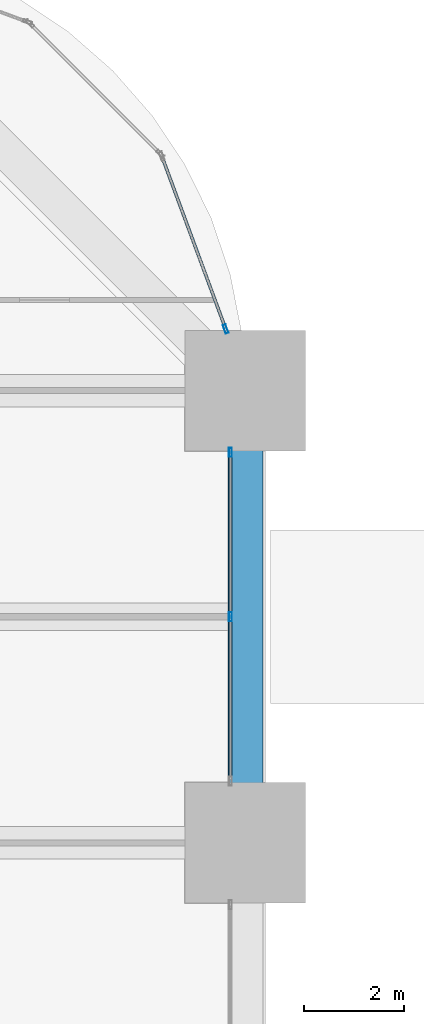
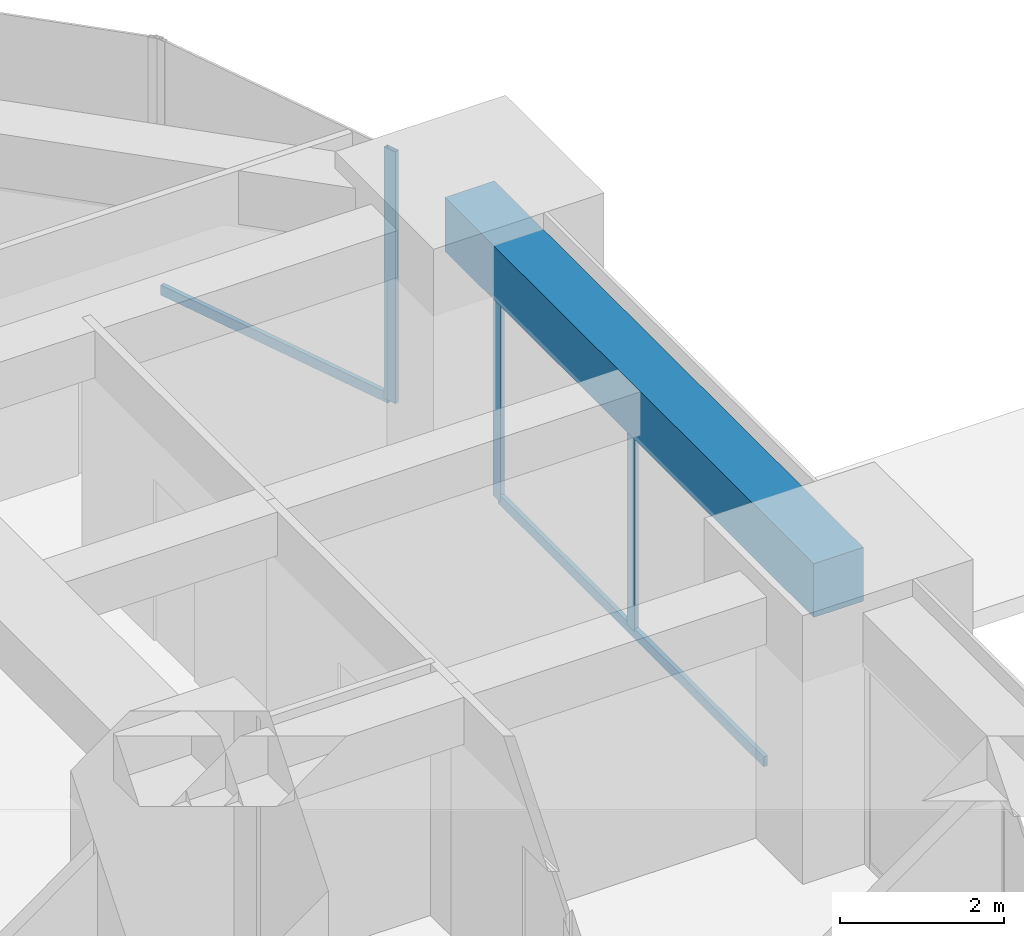
# One storey, part 30 of 39: 5 members, 1 beam, 2 elements without a shape of their own.
"""IFC4 building model written with IfcOpenShell, lengths in metres."""

import ifcopenshell
import ifcopenshell.guid

model = None  # the IFC model being written
_history = None  # IfcOwnerHistory: only IFC2X3 demands one
_inside = {}  # id of a spatial element -> (the spatial element, [elements in it])
_under = {}  # id of a project, library or spatial element -> (it, [spatial elements below it])
_declared = {}  # id of a project -> (the project, [libraries it declares])
_typed = {}  # id of a type object -> (the type object, [elements of that type])
_made_of = {}  # id of a material, layer set ... -> (it, [elements and type objects made of it])


def new_model(schema):
    """Start an empty IFC model of exactly this schema.

    Asked for "IFC4X3", IfcOpenShell would pick the latest addendum, in which some entities
    have other attributes; the version numbers below select the first issue.
    IFC2X3 requires an IfcOwnerHistory on every rooted entity: one is made here for all.
    """
    global model, _history
    if schema == "IFC4X3":
        model = ifcopenshell.file(schema_version=(4, 3, 0, 0))
    else:
        model = ifcopenshell.file(schema=schema)
    _inside.clear()
    _under.clear()
    _declared.clear()
    _typed.clear()
    _made_of.clear()
    _history = None
    if model.schema == "IFC2X3":
        org = make("IfcOrganization", Name="unknown")
        user = make(
            "IfcPersonAndOrganization",
            ThePerson=make("IfcPerson", FamilyName="unknown"),
            TheOrganization=org,
        )
        app = make(
            "IfcApplication",
            ApplicationDeveloper=org,
            Version="unknown",
            ApplicationFullName="unknown",
            ApplicationIdentifier="unknown",
        )
        _history = make(
            "IfcOwnerHistory",
            OwningUser=user,
            OwningApplication=app,
            ChangeAction="ADDED",
            CreationDate=0,
        )
    return model


def make(cls, **values):
    """One entity of the class cls with the attributes given. An attribute that is None is left unset."""
    return model.create_entity(
        cls, **{name: value for name, value in values.items() if value is not None}
    )


def rooted(cls, **values):
    """An entity with a GlobalId (a new one), such as an element, a storey or a relation."""
    return make(cls, GlobalId=ifcopenshell.guid.new(), OwnerHistory=_history, **values)


def si_unit(unit_type, name, prefix=None):
    """IfcSIUnit, for example si_unit("LENGTHUNIT", "METRE", prefix="MILLI")."""
    return make("IfcSIUnit", UnitType=unit_type, Prefix=prefix, Name=name)


def assignment(units):
    """IfcUnitAssignment: the units of a project."""
    return None if units is None else make("IfcUnitAssignment", Units=units)


def point(xyz):
    """IfcCartesianPoint."""
    return None if xyz is None else make("IfcCartesianPoint", Coordinates=xyz)


def direction(xyz):
    """IfcDirection."""
    return None if xyz is None else make("IfcDirection", DirectionRatios=xyz)


def frame(location, z_axis=None, x_axis=None):
    """IfcAxis2Placement3D, a coordinate frame: its origin and axes. An axis left out is left unset."""
    return make(
        "IfcAxis2Placement3D",
        Location=point(location),
        Axis=direction(z_axis),
        RefDirection=direction(x_axis),
    )


def frame_2d(location, x_axis=None):
    """IfcAxis2Placement2D, a coordinate frame in the plane: its origin and x axis."""
    return make(
        "IfcAxis2Placement2D", Location=point(location), RefDirection=direction(x_axis)
    )


def origin():
    """The frame at (0, 0, 0) with its axes left unset."""
    return frame((0.0, 0.0, 0.0))


def origin_2d():
    """The frame at (0, 0) in the plane with its x axis left unset."""
    return frame_2d((0.0, 0.0))


def place(relative_to, where):
    """IfcLocalPlacement: puts the frame where relative to a parent placement (None: the world)."""
    return make(
        "IfcLocalPlacement", PlacementRelTo=relative_to, RelativePlacement=where
    )


def context(
    kind, dimensions, precision=None, world=None, true_north=None, identifier=None
):
    """IfcGeometricRepresentationContext, for example the 3D "Model" context."""
    return make(
        "IfcGeometricRepresentationContext",
        ContextIdentifier=identifier,
        ContextType=kind,
        CoordinateSpaceDimension=dimensions,
        Precision=precision,
        WorldCoordinateSystem=world,
        TrueNorth=true_north,
    )


def subcontext(parent, identifier, kind, view, scale=None):
    """IfcGeometricRepresentationSubContext, for example "Body" below "Model"."""
    return make(
        "IfcGeometricRepresentationSubContext",
        ContextIdentifier=identifier,
        ContextType=kind,
        ParentContext=parent,
        TargetScale=scale,
        TargetView=view,
    )


def project(units=None, contexts=None):
    """IfcProject with its units and contexts."""
    return rooted(
        "IfcProject",
        Name="project",
        RepresentationContexts=contexts,
        UnitsInContext=assignment(units),
    )


def spatial(cls, under=None, at=None, **own):
    """A site, building, storey or space (cls), placed at a placement, below another one or the project."""
    s = rooted(cls, ObjectPlacement=at, **own)
    if under is not None:
        _under.setdefault(under.id(), (under, []))[1].append(s)
    return s


def profile(cls, at=None, kind="AREA", **sizes):
    """A parametric profile (cls). Its sizes go by their IFC names, for example OverallWidth=200.0."""
    return make(cls, ProfileType=kind, Position=at, **sizes)


def rectangle(**sizes):
    """IfcRectangleProfileDef."""
    return profile("IfcRectangleProfileDef", **sizes)


def hollow_rectangle(**sizes):
    """IfcRectangleHollowProfileDef."""
    return profile("IfcRectangleHollowProfileDef", **sizes)


def extrude(swept, where, along, depth):
    """IfcExtrudedAreaSolid: the profile swept, set in the frame where, extruded along a direction by depth."""
    return make(
        "IfcExtrudedAreaSolid",
        SweptArea=swept,
        Position=where,
        ExtrudedDirection=direction(along),
        Depth=depth,
    )


def shape(context_of_items, identifier, shape_type, items):
    """IfcShapeRepresentation: the items that make up one representation, for example the "Body"."""
    return make(
        "IfcShapeRepresentation",
        ContextOfItems=context_of_items,
        RepresentationIdentifier=identifier,
        RepresentationType=shape_type,
        Items=items,
    )


def material(Name=None, Category=None):
    """IfcMaterial."""
    return make("IfcMaterial", Name=Name, Category=Category)


def material_profile(
    of_material, cross_section, Name=None, Category=None, Priority=None
):
    """IfcMaterialProfile: a cross section and its material."""
    return make(
        "IfcMaterialProfile",
        Name=Name,
        Material=of_material,
        Profile=cross_section,
        Priority=Priority,
        Category=Category,
    )


def profile_set(profiles, Name=None, composite=None):
    """IfcMaterialProfileSet."""
    return make(
        "IfcMaterialProfileSet",
        Name=Name,
        MaterialProfiles=profiles,
        CompositeProfile=composite,
    )


def made_of(thing, what):
    """Note that an element or type object is made of a material, layer set ...; save() writes the relation."""
    if what is not None:
        _made_of.setdefault(what.id(), (what, []))[1].append(thing)
    return thing


def type_object(cls, material=None, **own):
    """A type object (cls), such as IfcWallType, which elements share."""
    return made_of(rooted(cls, **own), material)


def element(
    cls,
    number,
    at=None,
    inside=None,
    cuts=None,
    type_object=None,
    material=None,
    context=None,
    identifier="Body",
    shape_type=None,
    held_by="IfcProductDefinitionShape",
    body=None,
    shapes=None,
    **own,
):
    """One element of the class cls, such as IfcWall. Its Tag is "e" and its number.

    at: its placement. inside: the storey or other place that contains it. cuts: it is an
    opening in that element (IfcRelVoidsElement). A single representation is given by context,
    identifier, shape_type and body (its items); several are given by shapes. held_by: the class
    of the entity that holds the representations. save() writes the other relations.
    """
    e = rooted(cls, Tag="e%d" % number, ObjectPlacement=at, **own)
    if body is not None:
        shapes = [shape(context, identifier, shape_type, body)]
    if shapes is not None:
        e.Representation = make(held_by, Representations=shapes)
    if inside is not None:
        _inside.setdefault(inside.id(), (inside, []))[1].append(e)
    if cuts is not None:
        rooted(
            "IfcRelVoidsElement", RelatingBuildingElement=cuts, RelatedOpeningElement=e
        )
    if type_object is not None:
        _typed.setdefault(type_object.id(), (type_object, []))[1].append(e)
    return made_of(e, material)


def aggregate(whole, parts):
    """IfcRelAggregates: a whole, such as a stair, and the parts it consists of."""
    return rooted("IfcRelAggregates", RelatingObject=whole, RelatedObjects=parts)


def save(model, path):
    """Write the relations noted so far, then the file.

    IfcRelAggregates (storeys below a building ...), IfcRelContainedInSpatialStructure (elements
    in a storey), IfcRelDefinesByType, IfcRelAssociatesMaterial and IfcRelDeclares: one each for
    every whole, place, type object, material and project.
    """
    for whole, parts in _under.values():
        aggregate(whole, parts)
    for where, things in _inside.values():
        rooted(
            "IfcRelContainedInSpatialStructure",
            RelatedElements=things,
            RelatingStructure=where,
        )
    for kind, things in _typed.values():
        rooted("IfcRelDefinesByType", RelatedObjects=things, RelatingType=kind)
    for what, things in _made_of.values():
        rooted("IfcRelAssociatesMaterial", RelatedObjects=things, RelatingMaterial=what)
    for by, libraries in _declared.values():
        rooted("IfcRelDeclares", RelatingContext=by, RelatedDefinitions=libraries)
    model.write(path)


model = new_model("IFC4")

# Units and contexts
model_context = context("Model", 3, precision=1e-05, world=origin(), true_north=direction((0.0, 1.0)))
body_context = subcontext(model_context, "Body", "Model", "MODEL_VIEW")
ifc_project = project(units=[si_unit("LENGTHUNIT", "METRE"), si_unit("AREAUNIT", "SQUARE_METRE"), si_unit("VOLUMEUNIT", "CUBIC_METRE"), si_unit("PLANEANGLEUNIT", "RADIAN"), si_unit("MASSUNIT", "GRAM", prefix="KILO")], contexts=[model_context])

# Site, building, storey
site_placement = place(None, origin())
site = spatial("IfcSite", under=ifc_project, at=site_placement, CompositionType="ELEMENT")
building_placement = place(site_placement, origin())
building = spatial("IfcBuilding", under=site, at=building_placement, Name="Zorevar Civic Tower", CompositionType="ELEMENT")
storey_placement = place(building_placement, frame((0.0, 0.0, 19.800048828125)))
storey = spatial("IfcBuildingStorey", under=building, at=storey_placement, Name="L04", CompositionType="ELEMENT", Elevation=19.800048828125)

# Curtain wall, members
ifc_material_1 = material(Name="Dark grey solar-control glass in black aluminium frame", Category="aluminium")
curtain_wall_type = type_object("IfcCurtainWallType", Name="Curtain wall CW2 low zone", PredefinedType="NOTDEFINED", material=ifc_material_1)
curtain_wall_1_placement = place(storey_placement, origin())
curtain_wall_1 = element("IfcCurtainWall", 1, at=curtain_wall_1_placement, inside=storey, type_object=curtain_wall_type, Name="CW2 L04", PredefinedType="NOTDEFINED")
ifc_material_2 = material(Name="Aluminium, black anodised", Category="aluminium")
ifc_material_profile_1 = material_profile(ifc_material_2, hollow_rectangle(XDim=0.06005859375, YDim=0.179931640625, WallThickness=0.00390625, at=origin_2d()), Name="AL 180x60x4")
ifc_profile_set_1 = profile_set([ifc_material_profile_1], Name="Aluminium, black anodised")
member_type_1 = type_object("IfcMemberType", Name="CW2 mullion AL 180x60x4", PredefinedType="MULLION", material=ifc_profile_set_1)
member_1_placement = place(storey_placement, frame((62.699951171875, 40.5, 0.06005859375), z_axis=(0.0, 0.0, 1.0), x_axis=(-1.0, 0.0, 0.0)))
member_1 = element("IfcMember", 2, at=member_1_placement, type_object=member_type_1, Name="CW2 mullion 2", PredefinedType="MULLION", context=body_context, shape_type="SweptSolid", body=[
    extrude(hollow_rectangle(XDim=0.06005859375, YDim=0.179931640625, WallThickness=0.00390625, at=origin_2d()), origin(), (0.0, 0.0, 1.0), 2.889892578125),
])
member_2_placement = place(storey_placement, frame((62.699951171875, 43.77001953125, 0.0), z_axis=(0.0, 0.0, 1.0), x_axis=(-1.0, 0.0, 0.0)))
member_2 = element("IfcMember", 3, at=member_2_placement, type_object=member_type_1, Name="CW2 mullion 3", PredefinedType="MULLION", context=body_context, shape_type="SweptSolid", body=[
    extrude(hollow_rectangle(XDim=0.06005859375, YDim=0.179931640625, WallThickness=0.00390625, at=origin_2d()), origin(), (0.0, 0.0, 1.0), 2.949951171875),
])

# Curtain wall, member
curtain_wall_2_placement = place(storey_placement, origin())
curtain_wall_2 = element("IfcCurtainWall", 4, at=curtain_wall_2_placement, inside=storey, type_object=curtain_wall_type, Name="CW2 L04", PredefinedType="NOTDEFINED")
member_3_placement = place(storey_placement, frame((62.6064453125, 46.22802734375, 0.0), z_axis=(0.0, 0.0, 1.0), x_axis=(-0.937974588163, -0.346704012033, 0.0)))
member_3 = element("IfcMember", 5, at=member_3_placement, type_object=member_type_1, Name="CW2 mullion 1", PredefinedType="MULLION", context=body_context, shape_type="SweptSolid", body=[
    extrude(hollow_rectangle(XDim=0.06005859375, YDim=0.179931640625, WallThickness=0.00390625, at=origin_2d()), origin(), (0.0, 0.0, 1.0), 3.75),
])

# Member
ifc_material_3 = material(Name="Aluminium, black anodised", Category="aluminium")
ifc_material_profile_2 = material_profile(ifc_material_3, hollow_rectangle(XDim=0.06005859375, YDim=0.14990234375, WallThickness=0.00390625, at=origin_2d()), Name="AL 150x60x4")
ifc_profile_set_2 = profile_set([ifc_material_profile_2], Name="Aluminium, black anodised")
member_type_2 = type_object("IfcMemberType", Name="CW2 transom AL 150x60x4", PredefinedType="USERDEFINED", material=ifc_profile_set_2)
member_4_placement = place(storey_placement, frame((62.699951171875, 37.260009765625, 0.030029296875), z_axis=(0.0, 1.0, 0.0), x_axis=(-1.0, 0.0, 0.0)))
member_4 = element("IfcMember", 6, at=member_4_placement, type_object=member_type_2, Name="CW2 sill transom", ObjectType="TRANSOM", PredefinedType="USERDEFINED", context=body_context, shape_type="SweptSolid", body=[
    extrude(hollow_rectangle(XDim=0.06005859375, YDim=0.14990234375, WallThickness=0.00390625, at=origin_2d()), origin(), (0.0, 0.0, 1.0), 6.47998046875),
])

aggregate(curtain_wall_1, [member_1, member_2, member_4])

member_5_placement = place(storey_placement, frame((62.595947265625, 46.25634765625, 0.030029296875), z_axis=(-0.346672169799, 0.93798635741, 0.0), x_axis=(-0.93798635741, -0.346672169799, 0.0)))
member_5 = element("IfcMember", 7, at=member_5_placement, type_object=member_type_2, Name="CW2 sill transom", ObjectType="TRANSOM", PredefinedType="USERDEFINED", context=body_context, shape_type="SweptSolid", body=[
    extrude(hollow_rectangle(XDim=0.06005859375, YDim=0.14990234375, WallThickness=0.00390625, at=origin_2d()), origin(), (0.0, 0.0, 1.0), 3.603515625),
])

aggregate(curtain_wall_2, [member_3, member_5])

# Beam
ifc_material_4 = material(Name="Concrete C50/60", Category="concrete")
ifc_material_profile_3 = material_profile(ifc_material_4, rectangle(XDim=0.699951171875, YDim=0.800048828125, at=origin_2d()), Name="RC 700x800")
ifc_profile_set_3 = profile_set([ifc_material_profile_3], Name="Concrete C50/60")
beam_type = type_object("IfcBeamType", Name="Edge beam RC 700x800", PredefinedType="SPANDREL", material=ifc_profile_set_3)
beam_placement = place(storey_placement, frame((63.0, 36.0, 3.349853515625), z_axis=(0.0, 1.0, 0.0), x_axis=(-1.0, 0.0, 0.0)))
element("IfcBeam", 8, at=beam_placement, inside=storey, type_object=beam_type, Name="Edge beam L05", PredefinedType="SPANDREL", context=body_context, shape_type="SweptSolid", body=[
    extrude(rectangle(XDim=0.699951171875, YDim=0.800048828125, at=origin_2d()), origin(), (0.0, 0.0, 1.0), 9.0),
])

save(model, "model.ifc")
